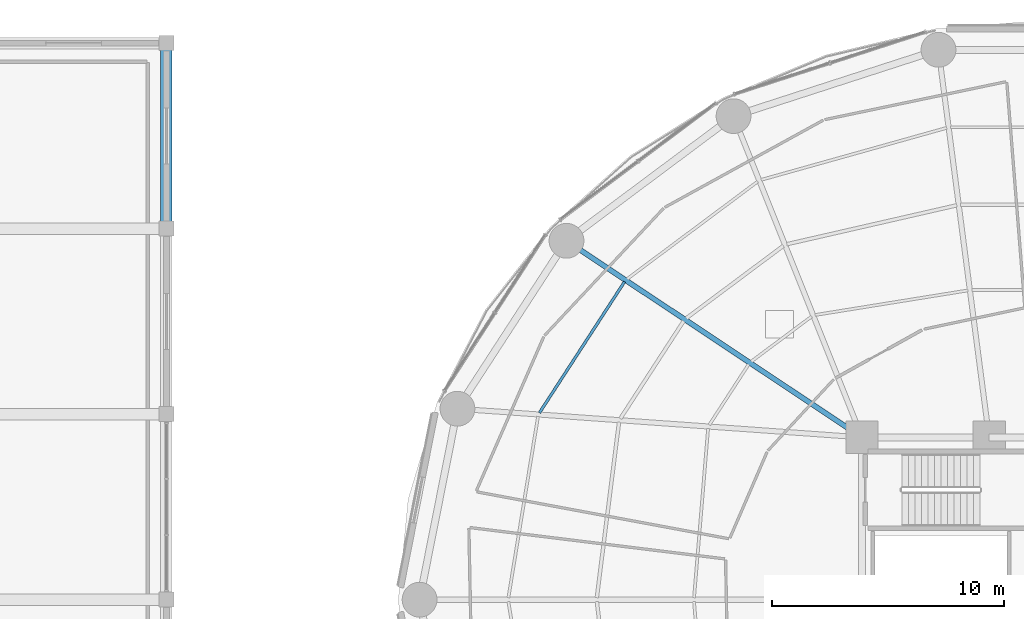
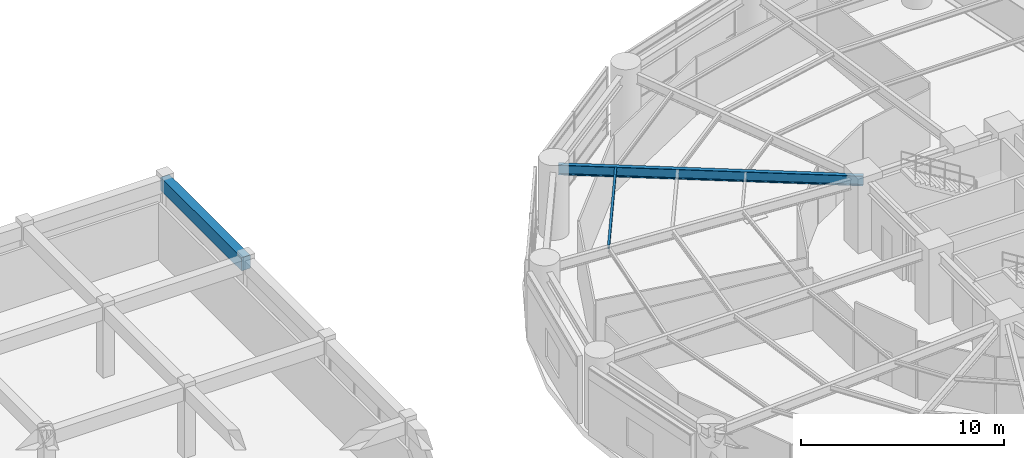
# One storey, part 28 of 52: 3 beams.
"""IFC4 building model written with IfcOpenShell, lengths in metres."""

from ifc_helpers import new_model, si_unit, direction, frame, origin, origin_2d, place, context, subcontext, project, spatial, rectangle, i_section, extrude, material, material_profile, profile_set, type_object, element, save


model = new_model("IFC4")

# Units and contexts
model_context = context("Model", 3, precision=1e-05, world=origin(), true_north=direction((0.0, 1.0)))
body_context = subcontext(model_context, "Body", "Model", "MODEL_VIEW")
ifc_project = project(units=[si_unit("LENGTHUNIT", "METRE"), si_unit("AREAUNIT", "SQUARE_METRE"), si_unit("VOLUMEUNIT", "CUBIC_METRE"), si_unit("PLANEANGLEUNIT", "RADIAN"), si_unit("MASSUNIT", "GRAM", prefix="KILO")], contexts=[model_context])

# Site, building, storey
site_placement = place(None, origin())
site = spatial("IfcSite", under=ifc_project, at=site_placement, CompositionType="ELEMENT")
building_placement = place(site_placement, origin())
building = spatial("IfcBuilding", under=site, at=building_placement, Name="Kelanora Arch Commons", CompositionType="ELEMENT")
storey_placement = place(building_placement, frame((0.0, 0.0, 13.5)))
storey = spatial("IfcBuildingStorey", under=building, at=storey_placement, Name="L03", CompositionType="ELEMENT", Elevation=13.5)

# Beams
ifc_material_1 = material(Name="Steel S355", Category="steel")
ifc_material_profile_1 = material_profile(ifc_material_1, i_section(OverallWidth=0.1201171875, OverallDepth=0.239990234375, WebThickness=0.006103515625, FlangeThickness=0.009765625, FilletRadius=0.014892578125, at=origin_2d()), Name="IPE240")
ifc_profile_set_1 = profile_set([ifc_material_profile_1], Name="Steel S355")
beam_type_1 = type_object("IfcBeamType", Name="BM-JST-02", PredefinedType="JOIST", material=ifc_profile_set_1)
beam_1_placement = place(storey_placement, frame((55.758056640625, 71.711181640625, 3.97998046875), z_axis=(-0.544550165372, -0.838728273873, 0.0), x_axis=(0.838728273873, -0.544550165372, 0.0)))
element("IfcBeam", 1, at=beam_1_placement, inside=storey, type_object=beam_type_1, Name="Secondary Chord Joist BJC-14 L03", PredefinedType="JOIST", context=body_context, shape_type="SweptSolid", body=[
    extrude(i_section(OverallWidth=0.1201171875, OverallDepth=0.239990234375, WebThickness=0.006103515625, FlangeThickness=0.009765625, FilletRadius=0.014892578125, at=origin_2d()), origin(), (0.0, 0.0, 1.0), 6.738037109375),
])
ifc_material_2 = material(Name="Concrete C40/50", Category="concrete")
ifc_material_profile_2 = material_profile(ifc_material_2, rectangle(XDim=0.5, YDim=0.800048828125, at=origin_2d()), Name="RCB500x800")
ifc_profile_set_2 = profile_set([ifc_material_profile_2], Name="Concrete C40/50")
beam_type_2 = type_object("IfcBeamType", Name="BM-MKT-RC1", PredefinedType="BEAM", material=ifc_profile_set_2)
beam_2_placement = place(storey_placement, frame((36.0, 74.0, 3.840087890625), z_axis=(0.0, 1.0, 0.0), x_axis=(-1.0, 0.0, 0.0)))
element("IfcBeam", 2, at=beam_2_placement, inside=storey, type_object=beam_type_2, Name="Market/Basement Frame Beam 093 L03", PredefinedType="BEAM", context=body_context, shape_type="SweptSolid", body=[
    extrude(rectangle(XDim=0.5, YDim=0.800048828125, at=origin_2d()), origin(), (0.0, 0.0, 1.0), 8.0),
])
ifc_material_profile_3 = material_profile(ifc_material_1, i_section(OverallWidth=0.219970703125, OverallDepth=0.60009765625, WebThickness=0.011962890625, FlangeThickness=0.01904296875, FilletRadius=0.02392578125, at=origin_2d()), Name="IPE600")
ifc_profile_set_3 = profile_set([ifc_material_profile_3], Name="Steel S355")
beam_type_3 = type_object("IfcBeamType", Name="BM-RAD-Z1", PredefinedType="BEAM", material=ifc_profile_set_3)
beam_3_placement = place(storey_placement, frame((66.0, 65.0, 3.800048828125), z_axis=(-0.832592623638, 0.553885839379, 0.0), x_axis=(-0.553885839379, -0.832592623638, 0.0)))
element("IfcBeam", 3, at=beam_3_placement, inside=storey, type_object=beam_type_3, Name="Radial Floor Girder BR-14 L03", PredefinedType="BEAM", context=body_context, shape_type="SweptSolid", body=[
    extrude(i_section(OverallWidth=0.219970703125, OverallDepth=0.60009765625, WebThickness=0.011962890625, FlangeThickness=0.01904296875, FilletRadius=0.02392578125, at=origin_2d()), origin(), (0.0, 0.0, 1.0), 15.0869140625),
])

save(model, "model.ifc")
